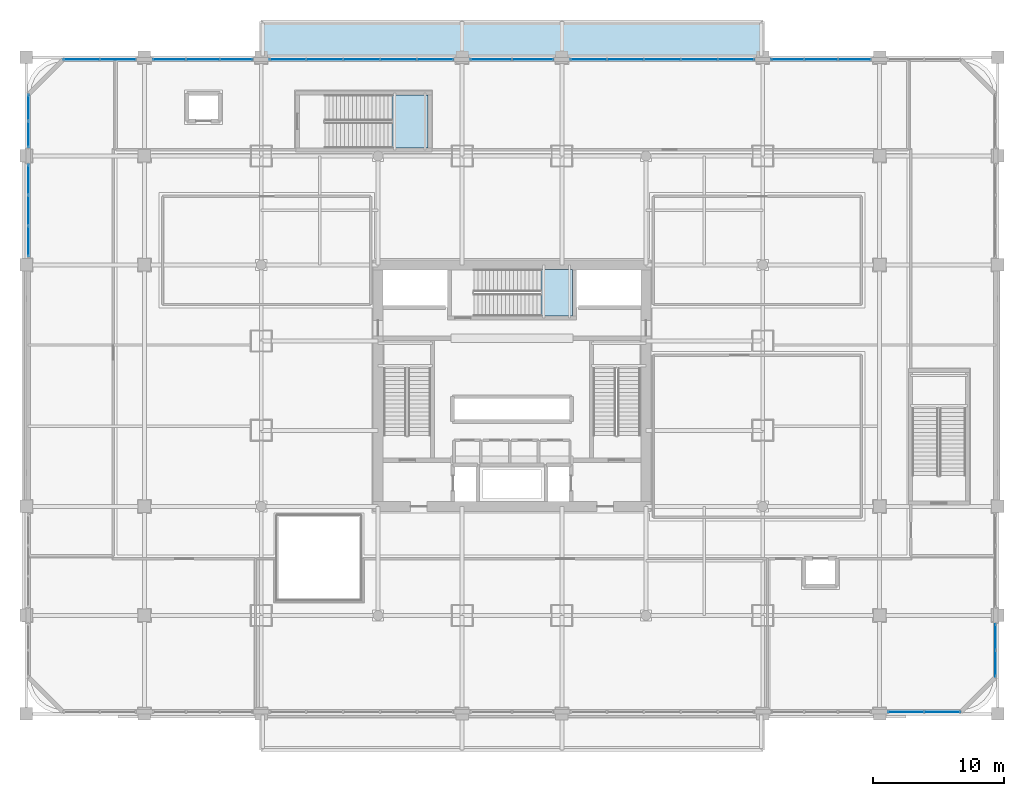
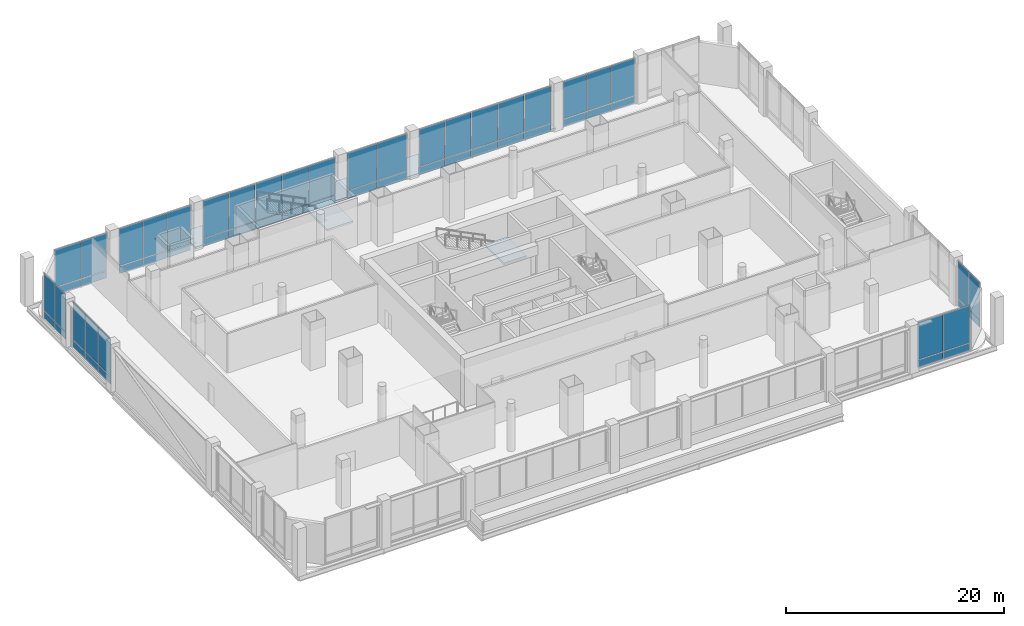
# One storey, part 25 of 43: 58 plates, 3 slabs, 12 elements without a shape of their own.
"""IFC4 building model written with IfcOpenShell, lengths in metres."""

from ifc_helpers import new_model, si_unit, direction, frame, origin, origin_2d, place, context, subcontext, project, spatial, polyline, rectangle, outline, extrude, material, layer, layer_set, type_object, element, aggregate, save


model = new_model("IFC4")

# Units and contexts
model_context = context("Model", 3, precision=1e-05, world=origin(), true_north=direction((0.0, 1.0)))
body_context = subcontext(model_context, "Body", "Model", "MODEL_VIEW")
ifc_project = project(units=[si_unit("LENGTHUNIT", "METRE"), si_unit("AREAUNIT", "SQUARE_METRE"), si_unit("VOLUMEUNIT", "CUBIC_METRE"), si_unit("PLANEANGLEUNIT", "RADIAN"), si_unit("MASSUNIT", "GRAM", prefix="KILO")], contexts=[model_context])

# Site, building, storey
site_placement = place(None, origin())
site = spatial("IfcSite", under=ifc_project, at=site_placement, CompositionType="ELEMENT")
building_placement = place(site_placement, origin())
building = spatial("IfcBuilding", under=site, at=building_placement, Name="Punatoya Terracotta Tower", CompositionType="ELEMENT")
storey_placement = place(building_placement, frame((0.0, 0.0, 6.0)))
storey = spatial("IfcBuildingStorey", under=building, at=storey_placement, Name="L01", CompositionType="ELEMENT", Elevation=6.0)

# Curtain wall, plates
ifc_material_1 = material(Name="Aluminium 6063-T6 + Double Low-E Glass", Category="aluminium")
curtain_wall_type = type_object("IfcCurtainWallType", Name="CW-POD", PredefinedType="NOTDEFINED", material=ifc_material_1)
curtain_wall_1_placement = place(storey_placement, origin())
curtain_wall_1 = element("IfcCurtainWall", 1, at=curtain_wall_1_placement, inside=storey, type_object=curtain_wall_type, Name="L01 Curtain Wall CWP-L01-N1", PredefinedType="NOTDEFINED")
ifc_material_2 = material(Name="Double Low-E Clear Vision Glass", Category="glass")
ifc_layer_1 = layer(ifc_material_2, 0.028076171875)
ifc_layer_set_1 = layer_set([ifc_layer_1], Name="Double Low-E Clear Vision Glass")
plate_type_1 = type_object("IfcPlateType", Name="PLT-GLZ-28", PredefinedType="CURTAIN_PANEL", material=ifc_layer_set_1)
plate_1_placement = place(storey_placement, frame((-30.014892578125, 24.840087890625, 0.89013671875), z_axis=(0.0, 0.0, 1.0), x_axis=(-1.0, 0.0, 0.0)))
plate_1 = element("IfcPlate", 2, at=plate_1_placement, type_object=plate_type_1, Name="CWP-L01-N1 Vision Glass Panel 1", PredefinedType="CURTAIN_PANEL", context=body_context, shape_type="SweptSolid", body=[
    extrude(rectangle(XDim=2.705078125, YDim=0.028076171875, at=origin_2d()), origin(), (0.0, 0.0, 1.0), 4.18994140625),
])
plate_2_placement = place(storey_placement, frame((-32.804931640625, 24.840087890625, 0.89013671875), z_axis=(0.0, 0.0, 1.0), x_axis=(-1.0, 0.0, 0.0)))
plate_2 = element("IfcPlate", 3, at=plate_2_placement, type_object=plate_type_1, Name="CWP-L01-N1 Vision Glass Panel 2", PredefinedType="CURTAIN_PANEL", context=body_context, shape_type="SweptSolid", body=[
    extrude(rectangle(XDim=2.705078125, YDim=0.028076171875, at=origin_2d()), origin(), (0.0, 0.0, 1.0), 4.18994140625),
])

curtain_wall_2_placement = place(storey_placement, origin())
curtain_wall_2 = element("IfcCurtainWall", 4, at=curtain_wall_2_placement, inside=storey, type_object=curtain_wall_type, Name="L01 Curtain Wall CWP-L01-N2", PredefinedType="NOTDEFINED")
plate_3_placement = place(storey_placement, frame((-20.99658203125, 24.840087890625, 0.89013671875), z_axis=(0.0, 0.0, 1.0), x_axis=(-1.0, 0.0, 0.0)))
plate_3 = element("IfcPlate", 5, at=plate_3_placement, type_object=plate_type_1, Name="CWP-L01-N2 Vision Glass Panel 1", PredefinedType="CURTAIN_PANEL", context=body_context, shape_type="SweptSolid", body=[
    extrude(rectangle(XDim=2.46826171875, YDim=0.028076171875, at=origin_2d()), origin(), (0.0, 0.0, 1.0), 4.18994140625),
])
plate_4_placement = place(storey_placement, frame((-23.550048828125, 24.840087890625, 0.89013671875), z_axis=(0.0, 0.0, 1.0), x_axis=(-1.0, 0.0, 0.0)))
plate_4 = element("IfcPlate", 6, at=plate_4_placement, type_object=plate_type_1, Name="CWP-L01-N2 Vision Glass Panel 2", PredefinedType="CURTAIN_PANEL", context=body_context, shape_type="SweptSolid", body=[
    extrude(rectangle(XDim=2.46826171875, YDim=0.028076171875, at=origin_2d()), origin(), (0.0, 0.0, 1.0), 4.18994140625),
])
plate_5_placement = place(storey_placement, frame((-26.103271484375, 24.840087890625, 0.89013671875), z_axis=(0.0, 0.0, 1.0), x_axis=(-1.0, 0.0, 0.0)))
plate_5 = element("IfcPlate", 7, at=plate_5_placement, type_object=plate_type_1, Name="CWP-L01-N2 Vision Glass Panel 3", PredefinedType="CURTAIN_PANEL", context=body_context, shape_type="SweptSolid", body=[
    extrude(rectangle(XDim=2.46826171875, YDim=0.028076171875, at=origin_2d()), origin(), (0.0, 0.0, 1.0), 4.18994140625),
])

curtain_wall_3_placement = place(storey_placement, origin())
curtain_wall_3 = element("IfcCurtainWall", 8, at=curtain_wall_3_placement, inside=storey, type_object=curtain_wall_type, Name="L01 Curtain Wall CWP-L01-N3", PredefinedType="NOTDEFINED")
plate_6_placement = place(storey_placement, frame((-5.825927734375, 24.840087890625, 0.89013671875), z_axis=(0.0, 0.0, 1.0), x_axis=(-1.0, 0.0, 0.0)))
plate_6 = element("IfcPlate", 9, at=plate_6_placement, type_object=plate_type_1, Name="CWP-L01-N3 Vision Glass Panel 1", PredefinedType="CURTAIN_PANEL", context=body_context, shape_type="SweptSolid", body=[
    extrude(rectangle(XDim=2.72705078125, YDim=0.028076171875, at=origin_2d()), origin(), (0.0, 0.0, 1.0), 4.18994140625),
])
plate_7_placement = place(storey_placement, frame((-8.637939453125, 24.840087890625, 0.89013671875), z_axis=(0.0, 0.0, 1.0), x_axis=(-1.0, 0.0, 0.0)))
plate_7 = element("IfcPlate", 10, at=plate_7_placement, type_object=plate_type_1, Name="CWP-L01-N3 Vision Glass Panel 2", PredefinedType="CURTAIN_PANEL", context=body_context, shape_type="SweptSolid", body=[
    extrude(rectangle(XDim=2.72705078125, YDim=0.028076171875, at=origin_2d()), origin(), (0.0, 0.0, 1.0), 4.18994140625),
])
plate_8_placement = place(storey_placement, frame((-11.449951171875, 24.840087890625, 0.89013671875), z_axis=(0.0, 0.0, 1.0), x_axis=(-1.0, 0.0, 0.0)))
plate_8 = element("IfcPlate", 11, at=plate_8_placement, type_object=plate_type_1, Name="CWP-L01-N3 Vision Glass Panel 3", PredefinedType="CURTAIN_PANEL", context=body_context, shape_type="SweptSolid", body=[
    extrude(rectangle(XDim=2.72705078125, YDim=0.028076171875, at=origin_2d()), origin(), (0.0, 0.0, 1.0), 4.18994140625),
])
plate_9_placement = place(storey_placement, frame((-14.261962890625, 24.840087890625, 0.89013671875), z_axis=(0.0, 0.0, 1.0), x_axis=(-1.0, 0.0, 0.0)))
plate_9 = element("IfcPlate", 12, at=plate_9_placement, type_object=plate_type_1, Name="CWP-L01-N3 Vision Glass Panel 4", PredefinedType="CURTAIN_PANEL", context=body_context, shape_type="SweptSolid", body=[
    extrude(rectangle(XDim=2.72705078125, YDim=0.028076171875, at=origin_2d()), origin(), (0.0, 0.0, 1.0), 4.18994140625),
])
plate_10_placement = place(storey_placement, frame((-17.073974609375, 24.840087890625, 0.89013671875), z_axis=(0.0, 0.0, 1.0), x_axis=(-1.0, 0.0, 0.0)))
plate_10 = element("IfcPlate", 13, at=plate_10_placement, type_object=plate_type_1, Name="CWP-L01-N3 Vision Glass Panel 5", PredefinedType="CURTAIN_PANEL", context=body_context, shape_type="SweptSolid", body=[
    extrude(rectangle(XDim=2.72705078125, YDim=0.028076171875, at=origin_2d()), origin(), (0.0, 0.0, 1.0), 4.18994140625),
])

curtain_wall_4_placement = place(storey_placement, origin())
curtain_wall_4 = element("IfcCurtainWall", 14, at=curtain_wall_4_placement, inside=storey, type_object=curtain_wall_type, Name="L01 Curtain Wall CWP-L01-N4", PredefinedType="NOTDEFINED")
plate_11_placement = place(storey_placement, frame((1.590087890625, 24.840087890625, 0.89013671875), z_axis=(0.0, 0.0, 1.0), x_axis=(-1.0, 0.0, 0.0)))
plate_11 = element("IfcPlate", 15, at=plate_11_placement, type_object=plate_type_1, Name="CWP-L01-N4 Vision Glass Panel 1", PredefinedType="CURTAIN_PANEL", context=body_context, shape_type="SweptSolid", body=[
    extrude(rectangle(XDim=3.094970703125, YDim=0.028076171875, at=origin_2d()), origin(), (0.0, 0.0, 1.0), 4.18994140625),
])
plate_12_placement = place(storey_placement, frame((-1.590087890625, 24.840087890625, 0.89013671875), z_axis=(0.0, 0.0, 1.0), x_axis=(-1.0, 0.0, 0.0)))
plate_12 = element("IfcPlate", 16, at=plate_12_placement, type_object=plate_type_1, Name="CWP-L01-N4 Vision Glass Panel 2", PredefinedType="CURTAIN_PANEL", context=body_context, shape_type="SweptSolid", body=[
    extrude(rectangle(XDim=3.094970703125, YDim=0.028076171875, at=origin_2d()), origin(), (0.0, 0.0, 1.0), 4.18994140625),
])

curtain_wall_5_placement = place(storey_placement, origin())
curtain_wall_5 = element("IfcCurtainWall", 17, at=curtain_wall_5_placement, inside=storey, type_object=curtain_wall_type, Name="L01 Curtain Wall CWP-L01-N5", PredefinedType="NOTDEFINED")
plate_13_placement = place(storey_placement, frame((17.073974609375, 24.840087890625, 0.89013671875), z_axis=(0.0, 0.0, 1.0), x_axis=(-1.0, 0.0, 0.0)))
plate_13 = element("IfcPlate", 18, at=plate_13_placement, type_object=plate_type_1, Name="CWP-L01-N5 Vision Glass Panel 1", PredefinedType="CURTAIN_PANEL", context=body_context, shape_type="SweptSolid", body=[
    extrude(rectangle(XDim=2.72705078125, YDim=0.028076171875, at=origin_2d()), origin(), (0.0, 0.0, 1.0), 4.18994140625),
])
plate_14_placement = place(storey_placement, frame((14.261962890625, 24.840087890625, 0.89013671875), z_axis=(0.0, 0.0, 1.0), x_axis=(-1.0, 0.0, 0.0)))
plate_14 = element("IfcPlate", 19, at=plate_14_placement, type_object=plate_type_1, Name="CWP-L01-N5 Vision Glass Panel 2", PredefinedType="CURTAIN_PANEL", context=body_context, shape_type="SweptSolid", body=[
    extrude(rectangle(XDim=2.72705078125, YDim=0.028076171875, at=origin_2d()), origin(), (0.0, 0.0, 1.0), 4.18994140625),
])
plate_15_placement = place(storey_placement, frame((11.449951171875, 24.840087890625, 0.89013671875), z_axis=(0.0, 0.0, 1.0), x_axis=(-1.0, 0.0, 0.0)))
plate_15 = element("IfcPlate", 20, at=plate_15_placement, type_object=plate_type_1, Name="CWP-L01-N5 Vision Glass Panel 3", PredefinedType="CURTAIN_PANEL", context=body_context, shape_type="SweptSolid", body=[
    extrude(rectangle(XDim=2.72705078125, YDim=0.028076171875, at=origin_2d()), origin(), (0.0, 0.0, 1.0), 4.18994140625),
])
plate_16_placement = place(storey_placement, frame((8.637939453125, 24.840087890625, 0.89013671875), z_axis=(0.0, 0.0, 1.0), x_axis=(-1.0, 0.0, 0.0)))
plate_16 = element("IfcPlate", 21, at=plate_16_placement, type_object=plate_type_1, Name="CWP-L01-N5 Vision Glass Panel 4", PredefinedType="CURTAIN_PANEL", context=body_context, shape_type="SweptSolid", body=[
    extrude(rectangle(XDim=2.72705078125, YDim=0.028076171875, at=origin_2d()), origin(), (0.0, 0.0, 1.0), 4.18994140625),
])
plate_17_placement = place(storey_placement, frame((5.825927734375, 24.840087890625, 0.89013671875), z_axis=(0.0, 0.0, 1.0), x_axis=(-1.0, 0.0, 0.0)))
plate_17 = element("IfcPlate", 22, at=plate_17_placement, type_object=plate_type_1, Name="CWP-L01-N5 Vision Glass Panel 5", PredefinedType="CURTAIN_PANEL", context=body_context, shape_type="SweptSolid", body=[
    extrude(rectangle(XDim=2.72705078125, YDim=0.028076171875, at=origin_2d()), origin(), (0.0, 0.0, 1.0), 4.18994140625),
])

curtain_wall_6_placement = place(storey_placement, origin())
curtain_wall_6 = element("IfcCurtainWall", 23, at=curtain_wall_6_placement, inside=storey, type_object=curtain_wall_type, Name="L01 Curtain Wall CWP-L01-N6", PredefinedType="NOTDEFINED")
plate_18_placement = place(storey_placement, frame((26.103271484375, 24.840087890625, 0.89013671875), z_axis=(0.0, 0.0, 1.0), x_axis=(-1.0, 0.0, 0.0)))
plate_18 = element("IfcPlate", 24, at=plate_18_placement, type_object=plate_type_1, Name="CWP-L01-N6 Vision Glass Panel 1", PredefinedType="CURTAIN_PANEL", context=body_context, shape_type="SweptSolid", body=[
    extrude(rectangle(XDim=2.46826171875, YDim=0.028076171875, at=origin_2d()), origin(), (0.0, 0.0, 1.0), 4.18994140625),
])
plate_19_placement = place(storey_placement, frame((23.550048828125, 24.840087890625, 0.89013671875), z_axis=(0.0, 0.0, 1.0), x_axis=(-1.0, 0.0, 0.0)))
plate_19 = element("IfcPlate", 25, at=plate_19_placement, type_object=plate_type_1, Name="CWP-L01-N6 Vision Glass Panel 2", PredefinedType="CURTAIN_PANEL", context=body_context, shape_type="SweptSolid", body=[
    extrude(rectangle(XDim=2.46826171875, YDim=0.028076171875, at=origin_2d()), origin(), (0.0, 0.0, 1.0), 4.18994140625),
])
plate_20_placement = place(storey_placement, frame((20.99658203125, 24.840087890625, 0.89013671875), z_axis=(0.0, 0.0, 1.0), x_axis=(-1.0, 0.0, 0.0)))
plate_20 = element("IfcPlate", 26, at=plate_20_placement, type_object=plate_type_1, Name="CWP-L01-N6 Vision Glass Panel 3", PredefinedType="CURTAIN_PANEL", context=body_context, shape_type="SweptSolid", body=[
    extrude(rectangle(XDim=2.46826171875, YDim=0.028076171875, at=origin_2d()), origin(), (0.0, 0.0, 1.0), 4.18994140625),
])

curtain_wall_7_placement = place(storey_placement, origin())
curtain_wall_7 = element("IfcCurtainWall", 27, at=curtain_wall_7_placement, inside=storey, type_object=curtain_wall_type, Name="L01 Curtain Wall CWP-L01-S7", PredefinedType="NOTDEFINED")
plate_21_placement = place(storey_placement, frame((30.014892578125, -24.840087890625, 0.89013671875), z_axis=(0.0, 0.0, 1.0), x_axis=(1.0, 0.0, 0.0)))
plate_21 = element("IfcPlate", 28, at=plate_21_placement, type_object=plate_type_1, Name="CWP-L01-S7 Vision Glass Panel 1", PredefinedType="CURTAIN_PANEL", context=body_context, shape_type="SweptSolid", body=[
    extrude(rectangle(XDim=2.705078125, YDim=0.028076171875, at=origin_2d()), origin(), (0.0, 0.0, 1.0), 4.18994140625),
])
plate_22_placement = place(storey_placement, frame((32.804931640625, -24.840087890625, 0.89013671875), z_axis=(0.0, 0.0, 1.0), x_axis=(1.0, 0.0, 0.0)))
plate_22 = element("IfcPlate", 29, at=plate_22_placement, type_object=plate_type_1, Name="CWP-L01-S7 Vision Glass Panel 2", PredefinedType="CURTAIN_PANEL", context=body_context, shape_type="SweptSolid", body=[
    extrude(rectangle(XDim=2.705078125, YDim=0.028076171875, at=origin_2d()), origin(), (0.0, 0.0, 1.0), 4.18994140625),
])

curtain_wall_8_placement = place(storey_placement, origin())
curtain_wall_8 = element("IfcCurtainWall", 30, at=curtain_wall_8_placement, inside=storey, type_object=curtain_wall_type, Name="L01 Curtain Wall CWP-L01-W3", PredefinedType="NOTDEFINED")
plate_23_placement = place(storey_placement, frame((-36.840087890625, 10.99658203125, 0.89013671875), z_axis=(0.0, 0.0, 1.0), x_axis=(0.0, 1.0, 0.0)))
plate_23 = element("IfcPlate", 31, at=plate_23_placement, type_object=plate_type_1, Name="CWP-L01-W3 Vision Glass Panel 1", PredefinedType="CURTAIN_PANEL", context=body_context, shape_type="SweptSolid", body=[
    extrude(rectangle(XDim=2.268310546875, YDim=0.028076171875, at=origin_2d()), origin(), (0.0, 0.0, 1.0), 4.18994140625),
])
plate_24_placement = place(storey_placement, frame((-36.840087890625, 13.35009765625, 0.89013671875), z_axis=(0.0, 0.0, 1.0), x_axis=(0.0, 1.0, 0.0)))
plate_24 = element("IfcPlate", 32, at=plate_24_placement, type_object=plate_type_1, Name="CWP-L01-W3 Vision Glass Panel 2", PredefinedType="CURTAIN_PANEL", context=body_context, shape_type="SweptSolid", body=[
    extrude(rectangle(XDim=2.268310546875, YDim=0.028076171875, at=origin_2d()), origin(), (0.0, 0.0, 1.0), 4.18994140625),
])
plate_25_placement = place(storey_placement, frame((-36.840087890625, 15.703369140625, 0.89013671875), z_axis=(0.0, 0.0, 1.0), x_axis=(0.0, 1.0, 0.0)))
plate_25 = element("IfcPlate", 33, at=plate_25_placement, type_object=plate_type_1, Name="CWP-L01-W3 Vision Glass Panel 3", PredefinedType="CURTAIN_PANEL", context=body_context, shape_type="SweptSolid", body=[
    extrude(rectangle(XDim=2.268310546875, YDim=0.028076171875, at=origin_2d()), origin(), (0.0, 0.0, 1.0), 4.18994140625),
])

curtain_wall_9_placement = place(storey_placement, origin())
curtain_wall_9 = element("IfcCurtainWall", 34, at=curtain_wall_9_placement, inside=storey, type_object=curtain_wall_type, Name="L01 Curtain Wall CWP-L01-W4", PredefinedType="NOTDEFINED")
plate_26_placement = place(storey_placement, frame((-36.840087890625, 19.139892578125, 0.89013671875), z_axis=(0.0, 0.0, 1.0), x_axis=(0.0, 1.0, 0.0)))
plate_26 = element("IfcPlate", 35, at=plate_26_placement, type_object=plate_type_1, Name="CWP-L01-W4 Vision Glass Panel 1", PredefinedType="CURTAIN_PANEL", context=body_context, shape_type="SweptSolid", body=[
    extrude(rectangle(XDim=1.955078125, YDim=0.028076171875, at=origin_2d()), origin(), (0.0, 0.0, 1.0), 4.18994140625),
])
plate_27_placement = place(storey_placement, frame((-36.840087890625, 21.179931640625, 0.89013671875), z_axis=(0.0, 0.0, 1.0), x_axis=(0.0, 1.0, 0.0)))
plate_27 = element("IfcPlate", 36, at=plate_27_placement, type_object=plate_type_1, Name="CWP-L01-W4 Vision Glass Panel 2", PredefinedType="CURTAIN_PANEL", context=body_context, shape_type="SweptSolid", body=[
    extrude(rectangle(XDim=1.955078125, YDim=0.028076171875, at=origin_2d()), origin(), (0.0, 0.0, 1.0), 4.18994140625),
])

curtain_wall_10_placement = place(storey_placement, origin())
curtain_wall_10 = element("IfcCurtainWall", 37, at=curtain_wall_10_placement, inside=storey, type_object=curtain_wall_type, Name="L01 Curtain Wall CWP-L01-E1", PredefinedType="NOTDEFINED")
plate_28_placement = place(storey_placement, frame((36.840087890625, -19.139892578125, 0.89013671875), z_axis=(0.0, 0.0, 1.0), x_axis=(0.0, -1.0, 0.0)))
plate_28 = element("IfcPlate", 38, at=plate_28_placement, type_object=plate_type_1, Name="CWP-L01-E1 Vision Glass Panel 1", PredefinedType="CURTAIN_PANEL", context=body_context, shape_type="SweptSolid", body=[
    extrude(rectangle(XDim=1.955078125, YDim=0.028076171875, at=origin_2d()), origin(), (0.0, 0.0, 1.0), 4.18994140625),
])
plate_29_placement = place(storey_placement, frame((36.840087890625, -21.179931640625, 0.89013671875), z_axis=(0.0, 0.0, 1.0), x_axis=(0.0, -1.0, 0.0)))
plate_29 = element("IfcPlate", 39, at=plate_29_placement, type_object=plate_type_1, Name="CWP-L01-E1 Vision Glass Panel 2", PredefinedType="CURTAIN_PANEL", context=body_context, shape_type="SweptSolid", body=[
    extrude(rectangle(XDim=1.955078125, YDim=0.028076171875, at=origin_2d()), origin(), (0.0, 0.0, 1.0), 4.18994140625),
])

# Plate
ifc_material_3 = material(Name="Insulated Terracotta-Backed Spandrel Panel", Category="masonry")
ifc_layer_2 = layer(ifc_material_3, 0.044921875)
ifc_layer_set_2 = layer_set([ifc_layer_2], Name="Insulated Terracotta-Backed Spandrel Panel")
plate_type_2 = type_object("IfcPlateType", Name="PLT-SPN-45", PredefinedType="CURTAIN_PANEL", material=ifc_layer_set_2)
plate_30_placement = place(storey_placement, frame((-30.014892578125, 24.840087890625, 0.0400390625), z_axis=(0.0, 0.0, 1.0), x_axis=(-1.0, 0.0, 0.0)))
plate_30 = element("IfcPlate", 40, at=plate_30_placement, type_object=plate_type_2, Name="CWP-L01-N1 Terracotta Spandrel Panel 1", PredefinedType="CURTAIN_PANEL", context=body_context, shape_type="SweptSolid", body=[
    extrude(rectangle(XDim=2.705078125, YDim=0.044921875, at=origin_2d()), origin(), (0.0, 0.0, 1.0), 0.77490234375),
])

plate_31_placement = place(storey_placement, frame((-32.804931640625, 24.840087890625, 0.0400390625), z_axis=(0.0, 0.0, 1.0), x_axis=(-1.0, 0.0, 0.0)))
plate_31 = element("IfcPlate", 41, at=plate_31_placement, type_object=plate_type_2, Name="CWP-L01-N1 Terracotta Spandrel Panel 2", PredefinedType="CURTAIN_PANEL", context=body_context, shape_type="SweptSolid", body=[
    extrude(rectangle(XDim=2.705078125, YDim=0.044921875, at=origin_2d()), origin(), (0.0, 0.0, 1.0), 0.77490234375),
])

aggregate(curtain_wall_1, [plate_30, plate_1, plate_31, plate_2])

plate_32_placement = place(storey_placement, frame((-20.99658203125, 24.840087890625, 0.0400390625), z_axis=(0.0, 0.0, 1.0), x_axis=(-1.0, 0.0, 0.0)))
plate_32 = element("IfcPlate", 42, at=plate_32_placement, type_object=plate_type_2, Name="CWP-L01-N2 Terracotta Spandrel Panel 1", PredefinedType="CURTAIN_PANEL", context=body_context, shape_type="SweptSolid", body=[
    extrude(rectangle(XDim=2.46826171875, YDim=0.044921875, at=origin_2d()), origin(), (0.0, 0.0, 1.0), 0.77490234375),
])

plate_33_placement = place(storey_placement, frame((-23.550048828125, 24.840087890625, 0.0400390625), z_axis=(0.0, 0.0, 1.0), x_axis=(-1.0, 0.0, 0.0)))
plate_33 = element("IfcPlate", 43, at=plate_33_placement, type_object=plate_type_2, Name="CWP-L01-N2 Terracotta Spandrel Panel 2", PredefinedType="CURTAIN_PANEL", context=body_context, shape_type="SweptSolid", body=[
    extrude(rectangle(XDim=2.46826171875, YDim=0.044921875, at=origin_2d()), origin(), (0.0, 0.0, 1.0), 0.77490234375),
])

plate_34_placement = place(storey_placement, frame((-26.103271484375, 24.840087890625, 0.0400390625), z_axis=(0.0, 0.0, 1.0), x_axis=(-1.0, 0.0, 0.0)))
plate_34 = element("IfcPlate", 44, at=plate_34_placement, type_object=plate_type_2, Name="CWP-L01-N2 Terracotta Spandrel Panel 3", PredefinedType="CURTAIN_PANEL", context=body_context, shape_type="SweptSolid", body=[
    extrude(rectangle(XDim=2.46826171875, YDim=0.044921875, at=origin_2d()), origin(), (0.0, 0.0, 1.0), 0.77490234375),
])

aggregate(curtain_wall_2, [plate_32, plate_3, plate_33, plate_4, plate_34, plate_5])

plate_35_placement = place(storey_placement, frame((-5.825927734375, 24.840087890625, 0.0400390625), z_axis=(0.0, 0.0, 1.0), x_axis=(-1.0, 0.0, 0.0)))
plate_35 = element("IfcPlate", 45, at=plate_35_placement, type_object=plate_type_2, Name="CWP-L01-N3 Terracotta Spandrel Panel 1", PredefinedType="CURTAIN_PANEL", context=body_context, shape_type="SweptSolid", body=[
    extrude(rectangle(XDim=2.72705078125, YDim=0.044921875, at=origin_2d()), origin(), (0.0, 0.0, 1.0), 0.77490234375),
])

plate_36_placement = place(storey_placement, frame((-8.637939453125, 24.840087890625, 0.0400390625), z_axis=(0.0, 0.0, 1.0), x_axis=(-1.0, 0.0, 0.0)))
plate_36 = element("IfcPlate", 46, at=plate_36_placement, type_object=plate_type_2, Name="CWP-L01-N3 Terracotta Spandrel Panel 2", PredefinedType="CURTAIN_PANEL", context=body_context, shape_type="SweptSolid", body=[
    extrude(rectangle(XDim=2.72705078125, YDim=0.044921875, at=origin_2d()), origin(), (0.0, 0.0, 1.0), 0.77490234375),
])

plate_37_placement = place(storey_placement, frame((-11.449951171875, 24.840087890625, 0.0400390625), z_axis=(0.0, 0.0, 1.0), x_axis=(-1.0, 0.0, 0.0)))
plate_37 = element("IfcPlate", 47, at=plate_37_placement, type_object=plate_type_2, Name="CWP-L01-N3 Terracotta Spandrel Panel 3", PredefinedType="CURTAIN_PANEL", context=body_context, shape_type="SweptSolid", body=[
    extrude(rectangle(XDim=2.72705078125, YDim=0.044921875, at=origin_2d()), origin(), (0.0, 0.0, 1.0), 0.77490234375),
])

plate_38_placement = place(storey_placement, frame((-14.261962890625, 24.840087890625, 0.0400390625), z_axis=(0.0, 0.0, 1.0), x_axis=(-1.0, 0.0, 0.0)))
plate_38 = element("IfcPlate", 48, at=plate_38_placement, type_object=plate_type_2, Name="CWP-L01-N3 Terracotta Spandrel Panel 4", PredefinedType="CURTAIN_PANEL", context=body_context, shape_type="SweptSolid", body=[
    extrude(rectangle(XDim=2.72705078125, YDim=0.044921875, at=origin_2d()), origin(), (0.0, 0.0, 1.0), 0.77490234375),
])

plate_39_placement = place(storey_placement, frame((-17.073974609375, 24.840087890625, 0.0400390625), z_axis=(0.0, 0.0, 1.0), x_axis=(-1.0, 0.0, 0.0)))
plate_39 = element("IfcPlate", 49, at=plate_39_placement, type_object=plate_type_2, Name="CWP-L01-N3 Terracotta Spandrel Panel 5", PredefinedType="CURTAIN_PANEL", context=body_context, shape_type="SweptSolid", body=[
    extrude(rectangle(XDim=2.72705078125, YDim=0.044921875, at=origin_2d()), origin(), (0.0, 0.0, 1.0), 0.77490234375),
])

aggregate(curtain_wall_3, [plate_35, plate_6, plate_36, plate_7, plate_37, plate_8, plate_38, plate_9, plate_39, plate_10])

plate_40_placement = place(storey_placement, frame((1.590087890625, 24.840087890625, 0.0400390625), z_axis=(0.0, 0.0, 1.0), x_axis=(-1.0, 0.0, 0.0)))
plate_40 = element("IfcPlate", 50, at=plate_40_placement, type_object=plate_type_2, Name="CWP-L01-N4 Terracotta Spandrel Panel 1", PredefinedType="CURTAIN_PANEL", context=body_context, shape_type="SweptSolid", body=[
    extrude(rectangle(XDim=3.094970703125, YDim=0.044921875, at=origin_2d()), origin(), (0.0, 0.0, 1.0), 0.77490234375),
])

plate_41_placement = place(storey_placement, frame((-1.590087890625, 24.840087890625, 0.0400390625), z_axis=(0.0, 0.0, 1.0), x_axis=(-1.0, 0.0, 0.0)))
plate_41 = element("IfcPlate", 51, at=plate_41_placement, type_object=plate_type_2, Name="CWP-L01-N4 Terracotta Spandrel Panel 2", PredefinedType="CURTAIN_PANEL", context=body_context, shape_type="SweptSolid", body=[
    extrude(rectangle(XDim=3.094970703125, YDim=0.044921875, at=origin_2d()), origin(), (0.0, 0.0, 1.0), 0.77490234375),
])

aggregate(curtain_wall_4, [plate_40, plate_11, plate_41, plate_12])

plate_42_placement = place(storey_placement, frame((17.073974609375, 24.840087890625, 0.0400390625), z_axis=(0.0, 0.0, 1.0), x_axis=(-1.0, 0.0, 0.0)))
plate_42 = element("IfcPlate", 52, at=plate_42_placement, type_object=plate_type_2, Name="CWP-L01-N5 Terracotta Spandrel Panel 1", PredefinedType="CURTAIN_PANEL", context=body_context, shape_type="SweptSolid", body=[
    extrude(rectangle(XDim=2.72705078125, YDim=0.044921875, at=origin_2d()), origin(), (0.0, 0.0, 1.0), 0.77490234375),
])

plate_43_placement = place(storey_placement, frame((14.261962890625, 24.840087890625, 0.0400390625), z_axis=(0.0, 0.0, 1.0), x_axis=(-1.0, 0.0, 0.0)))
plate_43 = element("IfcPlate", 53, at=plate_43_placement, type_object=plate_type_2, Name="CWP-L01-N5 Terracotta Spandrel Panel 2", PredefinedType="CURTAIN_PANEL", context=body_context, shape_type="SweptSolid", body=[
    extrude(rectangle(XDim=2.72705078125, YDim=0.044921875, at=origin_2d()), origin(), (0.0, 0.0, 1.0), 0.77490234375),
])

plate_44_placement = place(storey_placement, frame((11.449951171875, 24.840087890625, 0.0400390625), z_axis=(0.0, 0.0, 1.0), x_axis=(-1.0, 0.0, 0.0)))
plate_44 = element("IfcPlate", 54, at=plate_44_placement, type_object=plate_type_2, Name="CWP-L01-N5 Terracotta Spandrel Panel 3", PredefinedType="CURTAIN_PANEL", context=body_context, shape_type="SweptSolid", body=[
    extrude(rectangle(XDim=2.72705078125, YDim=0.044921875, at=origin_2d()), origin(), (0.0, 0.0, 1.0), 0.77490234375),
])

plate_45_placement = place(storey_placement, frame((8.637939453125, 24.840087890625, 0.0400390625), z_axis=(0.0, 0.0, 1.0), x_axis=(-1.0, 0.0, 0.0)))
plate_45 = element("IfcPlate", 55, at=plate_45_placement, type_object=plate_type_2, Name="CWP-L01-N5 Terracotta Spandrel Panel 4", PredefinedType="CURTAIN_PANEL", context=body_context, shape_type="SweptSolid", body=[
    extrude(rectangle(XDim=2.72705078125, YDim=0.044921875, at=origin_2d()), origin(), (0.0, 0.0, 1.0), 0.77490234375),
])

plate_46_placement = place(storey_placement, frame((5.825927734375, 24.840087890625, 0.0400390625), z_axis=(0.0, 0.0, 1.0), x_axis=(-1.0, 0.0, 0.0)))
plate_46 = element("IfcPlate", 56, at=plate_46_placement, type_object=plate_type_2, Name="CWP-L01-N5 Terracotta Spandrel Panel 5", PredefinedType="CURTAIN_PANEL", context=body_context, shape_type="SweptSolid", body=[
    extrude(rectangle(XDim=2.72705078125, YDim=0.044921875, at=origin_2d()), origin(), (0.0, 0.0, 1.0), 0.77490234375),
])

aggregate(curtain_wall_5, [plate_42, plate_13, plate_43, plate_14, plate_44, plate_15, plate_45, plate_16, plate_46, plate_17])

plate_47_placement = place(storey_placement, frame((26.103271484375, 24.840087890625, 0.0400390625), z_axis=(0.0, 0.0, 1.0), x_axis=(-1.0, 0.0, 0.0)))
plate_47 = element("IfcPlate", 57, at=plate_47_placement, type_object=plate_type_2, Name="CWP-L01-N6 Terracotta Spandrel Panel 1", PredefinedType="CURTAIN_PANEL", context=body_context, shape_type="SweptSolid", body=[
    extrude(rectangle(XDim=2.46826171875, YDim=0.044921875, at=origin_2d()), origin(), (0.0, 0.0, 1.0), 0.77490234375),
])

plate_48_placement = place(storey_placement, frame((23.550048828125, 24.840087890625, 0.0400390625), z_axis=(0.0, 0.0, 1.0), x_axis=(-1.0, 0.0, 0.0)))
plate_48 = element("IfcPlate", 58, at=plate_48_placement, type_object=plate_type_2, Name="CWP-L01-N6 Terracotta Spandrel Panel 2", PredefinedType="CURTAIN_PANEL", context=body_context, shape_type="SweptSolid", body=[
    extrude(rectangle(XDim=2.46826171875, YDim=0.044921875, at=origin_2d()), origin(), (0.0, 0.0, 1.0), 0.77490234375),
])

plate_49_placement = place(storey_placement, frame((20.99658203125, 24.840087890625, 0.0400390625), z_axis=(0.0, 0.0, 1.0), x_axis=(-1.0, 0.0, 0.0)))
plate_49 = element("IfcPlate", 59, at=plate_49_placement, type_object=plate_type_2, Name="CWP-L01-N6 Terracotta Spandrel Panel 3", PredefinedType="CURTAIN_PANEL", context=body_context, shape_type="SweptSolid", body=[
    extrude(rectangle(XDim=2.46826171875, YDim=0.044921875, at=origin_2d()), origin(), (0.0, 0.0, 1.0), 0.77490234375),
])

aggregate(curtain_wall_6, [plate_47, plate_18, plate_48, plate_19, plate_49, plate_20])

plate_50_placement = place(storey_placement, frame((30.014892578125, -24.840087890625, 0.0400390625), z_axis=(0.0, 0.0, 1.0), x_axis=(1.0, 0.0, 0.0)))
plate_50 = element("IfcPlate", 60, at=plate_50_placement, type_object=plate_type_2, Name="CWP-L01-S7 Terracotta Spandrel Panel 1", PredefinedType="CURTAIN_PANEL", context=body_context, shape_type="SweptSolid", body=[
    extrude(rectangle(XDim=2.705078125, YDim=0.044921875, at=origin_2d()), origin(), (0.0, 0.0, 1.0), 0.77490234375),
])

plate_51_placement = place(storey_placement, frame((32.804931640625, -24.840087890625, 0.0400390625), z_axis=(0.0, 0.0, 1.0), x_axis=(1.0, 0.0, 0.0)))
plate_51 = element("IfcPlate", 61, at=plate_51_placement, type_object=plate_type_2, Name="CWP-L01-S7 Terracotta Spandrel Panel 2", PredefinedType="CURTAIN_PANEL", context=body_context, shape_type="SweptSolid", body=[
    extrude(rectangle(XDim=2.705078125, YDim=0.044921875, at=origin_2d()), origin(), (0.0, 0.0, 1.0), 0.77490234375),
])

aggregate(curtain_wall_7, [plate_50, plate_21, plate_51, plate_22])

plate_52_placement = place(storey_placement, frame((-36.840087890625, 10.99658203125, 0.0400390625), z_axis=(0.0, 0.0, 1.0), x_axis=(0.0, 1.0, 0.0)))
plate_52 = element("IfcPlate", 62, at=plate_52_placement, type_object=plate_type_2, Name="CWP-L01-W3 Terracotta Spandrel Panel 1", PredefinedType="CURTAIN_PANEL", context=body_context, shape_type="SweptSolid", body=[
    extrude(rectangle(XDim=2.268310546875, YDim=0.044921875, at=origin_2d()), origin(), (0.0, 0.0, 1.0), 0.77490234375),
])

plate_53_placement = place(storey_placement, frame((-36.840087890625, 13.35009765625, 0.0400390625), z_axis=(0.0, 0.0, 1.0), x_axis=(0.0, 1.0, 0.0)))
plate_53 = element("IfcPlate", 63, at=plate_53_placement, type_object=plate_type_2, Name="CWP-L01-W3 Terracotta Spandrel Panel 2", PredefinedType="CURTAIN_PANEL", context=body_context, shape_type="SweptSolid", body=[
    extrude(rectangle(XDim=2.268310546875, YDim=0.044921875, at=origin_2d()), origin(), (0.0, 0.0, 1.0), 0.77490234375),
])

plate_54_placement = place(storey_placement, frame((-36.840087890625, 15.703369140625, 0.0400390625), z_axis=(0.0, 0.0, 1.0), x_axis=(0.0, 1.0, 0.0)))
plate_54 = element("IfcPlate", 64, at=plate_54_placement, type_object=plate_type_2, Name="CWP-L01-W3 Terracotta Spandrel Panel 3", PredefinedType="CURTAIN_PANEL", context=body_context, shape_type="SweptSolid", body=[
    extrude(rectangle(XDim=2.268310546875, YDim=0.044921875, at=origin_2d()), origin(), (0.0, 0.0, 1.0), 0.77490234375),
])

aggregate(curtain_wall_8, [plate_52, plate_23, plate_53, plate_24, plate_54, plate_25])

plate_55_placement = place(storey_placement, frame((-36.840087890625, 19.139892578125, 0.0400390625), z_axis=(0.0, 0.0, 1.0), x_axis=(0.0, 1.0, 0.0)))
plate_55 = element("IfcPlate", 65, at=plate_55_placement, type_object=plate_type_2, Name="CWP-L01-W4 Terracotta Spandrel Panel 1", PredefinedType="CURTAIN_PANEL", context=body_context, shape_type="SweptSolid", body=[
    extrude(rectangle(XDim=1.955078125, YDim=0.044921875, at=origin_2d()), origin(), (0.0, 0.0, 1.0), 0.77490234375),
])

plate_56_placement = place(storey_placement, frame((-36.840087890625, 21.179931640625, 0.0400390625), z_axis=(0.0, 0.0, 1.0), x_axis=(0.0, 1.0, 0.0)))
plate_56 = element("IfcPlate", 66, at=plate_56_placement, type_object=plate_type_2, Name="CWP-L01-W4 Terracotta Spandrel Panel 2", PredefinedType="CURTAIN_PANEL", context=body_context, shape_type="SweptSolid", body=[
    extrude(rectangle(XDim=1.955078125, YDim=0.044921875, at=origin_2d()), origin(), (0.0, 0.0, 1.0), 0.77490234375),
])

aggregate(curtain_wall_9, [plate_55, plate_26, plate_56, plate_27])

plate_57_placement = place(storey_placement, frame((36.840087890625, -19.139892578125, 0.0400390625), z_axis=(0.0, 0.0, 1.0), x_axis=(0.0, -1.0, 0.0)))
plate_57 = element("IfcPlate", 67, at=plate_57_placement, type_object=plate_type_2, Name="CWP-L01-E1 Terracotta Spandrel Panel 1", PredefinedType="CURTAIN_PANEL", context=body_context, shape_type="SweptSolid", body=[
    extrude(rectangle(XDim=1.955078125, YDim=0.044921875, at=origin_2d()), origin(), (0.0, 0.0, 1.0), 0.77490234375),
])

plate_58_placement = place(storey_placement, frame((36.840087890625, -21.179931640625, 0.0400390625), z_axis=(0.0, 0.0, 1.0), x_axis=(0.0, -1.0, 0.0)))
plate_58 = element("IfcPlate", 68, at=plate_58_placement, type_object=plate_type_2, Name="CWP-L01-E1 Terracotta Spandrel Panel 2", PredefinedType="CURTAIN_PANEL", context=body_context, shape_type="SweptSolid", body=[
    extrude(rectangle(XDim=1.955078125, YDim=0.044921875, at=origin_2d()), origin(), (0.0, 0.0, 1.0), 0.77490234375),
])

aggregate(curtain_wall_10, [plate_57, plate_28, plate_58, plate_29])

# Stair, slab
ifc_material_4 = material(Name="Concrete C40/50", Category="concrete")
stair_type_1 = type_object("IfcStairType", Name="STR-TER-1450", PredefinedType="HALF_TURN_STAIR", material=ifc_material_4)
stair_1_placement = place(storey_placement, origin())
stair_1 = element("IfcStair", 69, at=stair_1_placement, inside=storey, type_object=stair_type_1, Name="L01 Protected Core Exit Stair ST-3", PredefinedType="HALF_TURN_STAIR")
ifc_layer_3 = layer(ifc_material_4, 0.1650390625)
ifc_layer_set_3 = layer_set([ifc_layer_3], Name="Concrete C40/50")
slab_type_1 = type_object("IfcSlabType", Name="SLB-LND-165", PredefinedType="LANDING", material=ifc_layer_set_3)
slab_1_placement = place(storey_placement, frame((0.0, 0.0, 2.5)))
slab_1 = element("IfcSlab", 70, at=slab_1_placement, type_object=slab_type_1, Name="ST-3 landing 1", PredefinedType="LANDING", context=body_context, shape_type="SweptSolid", body=[
    extrude(outline(polyline([(2.199951171875, 5.300048828125), (4.60009765625, 5.300048828125), (4.60009765625, 8.85009765625), (2.199951171875, 8.85009765625), (2.199951171875, 5.300048828125)])), origin(), (0.0, 0.0, 1.0), 0.199951171875),
])
aggregate(stair_1, [slab_1])

stair_type_2 = type_object("IfcStairType", Name="STR-POD-1800", PredefinedType="HALF_TURN_STAIR", material=ifc_material_4)
stair_2_placement = place(storey_placement, origin())
stair_2 = element("IfcStair", 71, at=stair_2_placement, inside=storey, type_object=stair_type_2, Name="L01 Podium North-West Exit Stair ST-P1", PredefinedType="HALF_TURN_STAIR")
ifc_layer_4 = layer(ifc_material_4, 0.179931640625)
ifc_layer_set_4 = layer_set([ifc_layer_4], Name="Concrete C40/50")
slab_type_2 = type_object("IfcSlabType", Name="SLB-LND-180", PredefinedType="LANDING", material=ifc_layer_set_4)
slab_2_placement = place(storey_placement, frame((0.0, 0.0, 2.5)))
slab_2 = element("IfcSlab", 72, at=slab_2_placement, type_object=slab_type_2, Name="ST-P1 landing 1", PredefinedType="LANDING", context=body_context, shape_type="SweptSolid", body=[
    extrude(outline(polyline([(-9.14990234375, 18.10009765625), (-6.39990234375, 18.10009765625), (-6.39990234375, 22.14990234375), (-9.14990234375, 22.14990234375), (-9.14990234375, 18.10009765625)])), origin(), (0.0, 0.0, 1.0), 0.199951171875),
])
aggregate(stair_2, [slab_2])

# Slab
ifc_layer_5 = layer(ifc_material_4, 0.25)
ifc_layer_set_5 = layer_set([ifc_layer_5], Name="Concrete C40/50")
slab_type_3 = type_object("IfcSlabType", Name="SLB-ROF-250", PredefinedType="ROOF", material=ifc_layer_set_5)
slab_3_placement = place(storey_placement, frame((0.0, 0.0, -0.25)))
element("IfcSlab", 73, at=slab_3_placement, inside=storey, type_object=slab_type_3, Name="L01 North Drop-Off Porte-Cochere Canopy Slab", PredefinedType="ROOF", context=body_context, shape_type="SweptSolid", body=[
    extrude(outline(polyline([(-19.10009765625, 25.0400390625), (19.10009765625, 25.0400390625), (19.10009765625, 27.75), (-19.10009765625, 27.75), (-19.10009765625, 25.0400390625)])), origin(), (0.0, 0.0, 1.0), 0.25),
])

save(model, "model.ifc")
